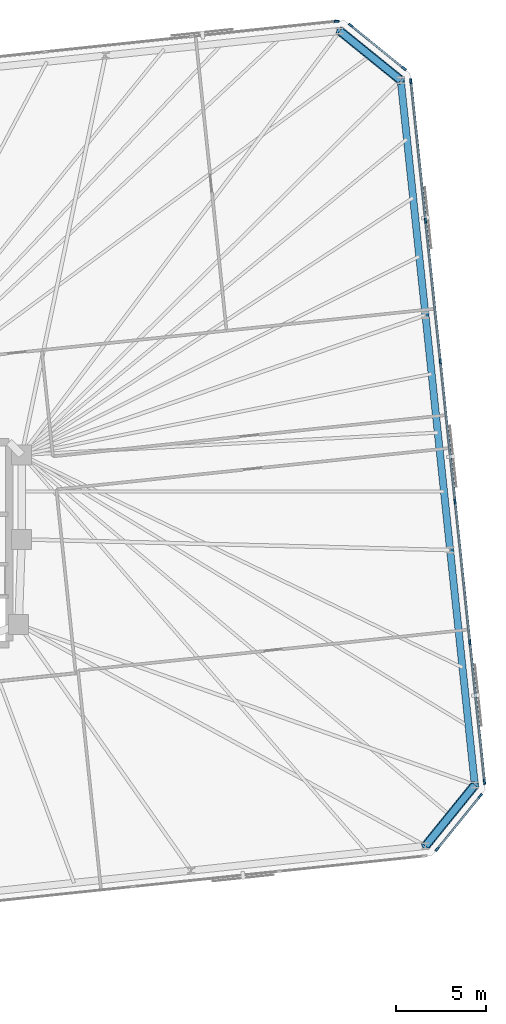
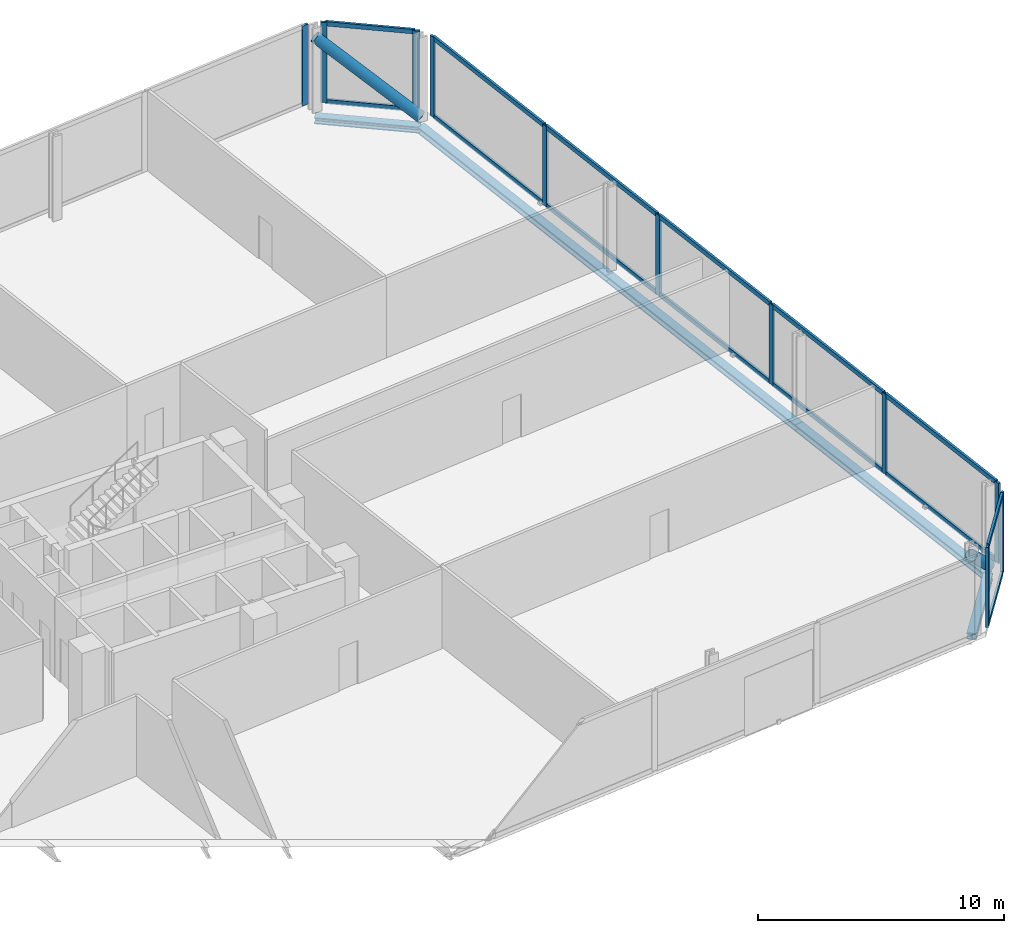
# One storey, part 10 of 16: 27 members, 5 beams, 4 elements without a shape of their own.
"""IFC4 building model written with IfcOpenShell, lengths in metres."""

from ifc_helpers import new_model, si_unit, direction, frame, origin, origin_2d, place, context, subcontext, project, spatial, rectangle, hollow_circle, i_section, extrude, material, material_profile, profile_set, type_object, element, aggregate, save


model = new_model("IFC4")

# Units and contexts
model_context = context("Model", 3, precision=1e-05, world=origin(), true_north=direction((0.0, 1.0)))
body_context = subcontext(model_context, "Body", "Model", "MODEL_VIEW")
ifc_project = project(units=[si_unit("LENGTHUNIT", "METRE"), si_unit("AREAUNIT", "SQUARE_METRE"), si_unit("VOLUMEUNIT", "CUBIC_METRE"), si_unit("PLANEANGLEUNIT", "RADIAN"), si_unit("MASSUNIT", "GRAM", prefix="KILO")], contexts=[model_context])

# Site, building, storey
site_placement = place(None, origin())
site = spatial("IfcSite", under=ifc_project, at=site_placement, CompositionType="ELEMENT")
building_placement = place(site_placement, origin())
building = spatial("IfcBuilding", under=site, at=building_placement, Name="Menara Jurai Vektor", CompositionType="ELEMENT")
storey_placement = place(building_placement, frame((0.0, 0.0, 83.199951171875)))
storey = spatial("IfcBuildingStorey", under=building, at=storey_placement, Name="L20", CompositionType="ELEMENT", Elevation=83.199951171875)

# Curtain wall, members
ifc_material_1 = material(Name="Anodised Pale Aluminium & Low-E Double Glazing", Category="aluminium")
curtain_wall_type = type_object("IfcCurtainWallType", Name="CW-SKY", PredefinedType="NOTDEFINED", material=ifc_material_1)
curtain_wall_1_placement = place(storey_placement, origin())
curtain_wall_1 = element("IfcCurtainWall", 1, at=curtain_wall_1_placement, inside=storey, type_object=curtain_wall_type, Name="Unitised Curtain Wall L20 F02", PredefinedType="NOTDEFINED")
ifc_material_2 = material(Name="Anodised Pale Aluminium Mullion", Category="aluminium")
ifc_material_profile_1 = material_profile(ifc_material_2, rectangle(XDim=0.110107421875, YDim=0.280029296875, at=origin_2d()), Name="ALU MUL 110x280")
ifc_profile_set_1 = profile_set([ifc_material_profile_1], Name="Anodised Pale Aluminium Mullion")
member_type_1 = type_object("IfcMemberType", Name="CW-SKY-MUL", PredefinedType="MULLION", material=ifc_profile_set_1)
member_1_placement = place(storey_placement, frame((38.2734375, -16.9404296875, 0.0), z_axis=(0.0, 0.0, 1.0), x_axis=(-0.777129222223, 0.62934106172, 0.0)))
member_1 = element("IfcMember", 2, at=member_1_placement, type_object=member_type_1, Name="CW-06 mullion 1", PredefinedType="MULLION", context=body_context, shape_type="SweptSolid", body=[
    extrude(rectangle(XDim=0.110107421875, YDim=0.280029296875, at=origin_2d()), origin(), (0.0, 0.0, 1.0), 3.97509765625),
])
member_2_placement = place(storey_placement, frame((40.6630859375, -13.98974609375, 0.0), z_axis=(0.0, 0.0, 1.0), x_axis=(-0.777129222223, 0.62934106172, 0.0)))
member_2 = element("IfcMember", 3, at=member_2_placement, type_object=member_type_1, Name="CW-06 mullion 2", PredefinedType="MULLION", context=body_context, shape_type="SweptSolid", body=[
    extrude(rectangle(XDim=0.110107421875, YDim=0.280029296875, at=origin_2d()), origin(), (0.0, 0.0, 1.0), 3.97509765625),
])

curtain_wall_2_placement = place(storey_placement, origin())
curtain_wall_2 = element("IfcCurtainWall", 4, at=curtain_wall_2_placement, inside=storey, type_object=curtain_wall_type, Name="Unitised Curtain Wall L20 F03", PredefinedType="NOTDEFINED")
member_3_placement = place(storey_placement, frame((40.891357421875, -13.218994140625, 0.0), z_axis=(0.0, 0.0, 1.0), x_axis=(-0.99452177832, -0.104529576902, 0.0)))
member_3 = element("IfcMember", 5, at=member_3_placement, type_object=member_type_1, Name="CW-06 mullion 1", PredefinedType="MULLION", context=body_context, shape_type="SweptSolid", body=[
    extrude(rectangle(XDim=0.110107421875, YDim=0.280029296875, at=origin_2d()), origin(), (0.0, 0.0, 1.0), 3.97509765625),
])
member_4_placement = place(storey_placement, frame((40.078857421875, -5.488525390625, 0.0), z_axis=(0.0, 0.0, 1.0), x_axis=(-0.99452177832, -0.104529576902, 0.0)))
member_4 = element("IfcMember", 6, at=member_4_placement, type_object=member_type_1, Name="CW-06 mullion 2", PredefinedType="MULLION", context=body_context, shape_type="SweptSolid", body=[
    extrude(rectangle(XDim=0.110107421875, YDim=0.280029296875, at=origin_2d()), origin(), (0.0, 0.0, 1.0), 3.97509765625),
])
member_5_placement = place(storey_placement, frame((39.260498046875, 2.296630859375, 0.0), z_axis=(0.0, 0.0, 1.0), x_axis=(-0.99452177832, -0.104529576902, 0.0)))
member_5 = element("IfcMember", 7, at=member_5_placement, type_object=member_type_1, Name="CW-06 mullion 3", PredefinedType="MULLION", context=body_context, shape_type="SweptSolid", body=[
    extrude(rectangle(XDim=0.110107421875, YDim=0.280029296875, at=origin_2d()), origin(), (0.0, 0.0, 1.0), 3.97509765625),
])
member_6_placement = place(storey_placement, frame((38.4423828125, 10.081787109375, 0.0), z_axis=(0.0, 0.0, 1.0), x_axis=(-0.99452177832, -0.104529576902, 0.0)))
member_6 = element("IfcMember", 8, at=member_6_placement, type_object=member_type_1, Name="CW-06 mullion 4", PredefinedType="MULLION", context=body_context, shape_type="SweptSolid", body=[
    extrude(rectangle(XDim=0.110107421875, YDim=0.280029296875, at=origin_2d()), origin(), (0.0, 0.0, 1.0), 3.97509765625),
])
member_7_placement = place(storey_placement, frame((37.6240234375, 17.866943359375, 0.0), z_axis=(0.0, 0.0, 1.0), x_axis=(-0.99452177832, -0.104529576902, 0.0)))
member_7 = element("IfcMember", 9, at=member_7_placement, type_object=member_type_1, Name="CW-06 mullion 5", PredefinedType="MULLION", context=body_context, shape_type="SweptSolid", body=[
    extrude(rectangle(XDim=0.110107421875, YDim=0.280029296875, at=origin_2d()), origin(), (0.0, 0.0, 1.0), 3.97509765625),
])
member_8_placement = place(storey_placement, frame((36.8115234375, 25.597412109375, 0.0), z_axis=(0.0, 0.0, 1.0), x_axis=(-0.99452177832, -0.104529576902, 0.0)))
member_8 = element("IfcMember", 10, at=member_8_placement, type_object=member_type_1, Name="CW-06 mullion 6", PredefinedType="MULLION", context=body_context, shape_type="SweptSolid", body=[
    extrude(rectangle(XDim=0.110107421875, YDim=0.280029296875, at=origin_2d()), origin(), (0.0, 0.0, 1.0), 3.97509765625),
])

curtain_wall_3_placement = place(storey_placement, origin())
curtain_wall_3 = element("IfcCurtainWall", 11, at=curtain_wall_3_placement, inside=storey, type_object=curtain_wall_type, Name="Unitised Curtain Wall L20 F04", PredefinedType="NOTDEFINED")
member_9_placement = place(storey_placement, frame((36.427978515625, 26.3037109375, 0.0), z_axis=(0.0, 0.0, 1.0), x_axis=(-0.629313085353, -0.777151877437, 0.0)))
member_9 = element("IfcMember", 12, at=member_9_placement, type_object=member_type_1, Name="CW-06 mullion 1", PredefinedType="MULLION", context=body_context, shape_type="SweptSolid", body=[
    extrude(rectangle(XDim=0.110107421875, YDim=0.280029296875, at=origin_2d()), origin(), (0.0, 0.0, 1.0), 3.97509765625),
])
member_10_placement = place(storey_placement, frame((33.477294921875, 28.693115234375, 0.0), z_axis=(0.0, 0.0, 1.0), x_axis=(-0.629313085353, -0.777151877437, 0.0)))
member_10 = element("IfcMember", 13, at=member_10_placement, type_object=member_type_1, Name="CW-06 mullion 2", PredefinedType="MULLION", context=body_context, shape_type="SweptSolid", body=[
    extrude(rectangle(XDim=0.110107421875, YDim=0.280029296875, at=origin_2d()), origin(), (0.0, 0.0, 1.0), 3.97509765625),
])

# Curtain wall, member
curtain_wall_4_placement = place(storey_placement, origin())
curtain_wall_4 = element("IfcCurtainWall", 14, at=curtain_wall_4_placement, inside=storey, type_object=curtain_wall_type, Name="Unitised Curtain Wall L20 F05", PredefinedType="NOTDEFINED")
member_11_placement = place(storey_placement, frame((32.70654296875, 28.92138671875, 0.0), z_axis=(0.0, 0.0, 1.0), x_axis=(0.104528634935, -0.994521877325, 0.0)))
member_11 = element("IfcMember", 15, at=member_11_placement, type_object=member_type_1, Name="CW-06 mullion 1", PredefinedType="MULLION", context=body_context, shape_type="SweptSolid", body=[
    extrude(rectangle(XDim=0.110107421875, YDim=0.280029296875, at=origin_2d()), origin(), (0.0, 0.0, 1.0), 3.97509765625),
])
aggregate(curtain_wall_4, [member_11])

# Member
ifc_material_3 = material(Name="Anodised Pale Aluminium Transom", Category="aluminium")
ifc_material_profile_2 = material_profile(ifc_material_3, rectangle(XDim=0.110107421875, YDim=0.219970703125, at=origin_2d()), Name="ALU TRN 110x220")
ifc_profile_set_2 = profile_set([ifc_material_profile_2], Name="Anodised Pale Aluminium Transom")
member_type_2 = type_object("IfcMemberType", Name="CW-SKY-TRN", PredefinedType="USERDEFINED", material=ifc_profile_set_2)
member_12_placement = place(storey_placement, frame((38.30810546875, -16.897705078125, 0.054931640625), z_axis=(0.629335371662, 0.777133830158, 0.0), x_axis=(-0.777133830158, 0.629335371662, 0.0)))
member_12 = element("IfcMember", 16, at=member_12_placement, type_object=member_type_2, Name="CW-06 transom 1.1", ObjectType="TRANSOM", PredefinedType="USERDEFINED", context=body_context, shape_type="SweptSolid", body=[
    extrude(rectangle(XDim=0.110107421875, YDim=0.219970703125, at=origin_2d()), origin(), (0.0, 0.0, 1.0), 3.68701171875),
])

member_13_placement = place(storey_placement, frame((38.30810546875, -16.897705078125, 3.920166015625), z_axis=(0.629335371662, 0.777133830158, 0.0), x_axis=(-0.777133830158, 0.629335371662, 0.0)))
member_13 = element("IfcMember", 17, at=member_13_placement, type_object=member_type_2, Name="CW-06 transom 1.2", ObjectType="TRANSOM", PredefinedType="USERDEFINED", context=body_context, shape_type="SweptSolid", body=[
    extrude(rectangle(XDim=0.110107421875, YDim=0.219970703125, at=origin_2d()), origin(), (0.0, 0.0, 1.0), 3.68701171875),
])

aggregate(curtain_wall_1, [member_1, member_2, member_12, member_13])

member_14_placement = place(storey_placement, frame((40.885498046875, -13.164306640625, 0.054931640625), z_axis=(-0.104530549059, 0.994521676141, 0.0), x_axis=(-0.994521676141, -0.104530549059, 0.0)))
member_14 = element("IfcMember", 18, at=member_14_placement, type_object=member_type_2, Name="CW-06 transom 1.1", ObjectType="TRANSOM", PredefinedType="USERDEFINED", context=body_context, shape_type="SweptSolid", body=[
    extrude(rectangle(XDim=0.110107421875, YDim=0.219970703125, at=origin_2d()), origin(), (0.0, 0.0, 1.0), 7.6630859375),
])

member_15_placement = place(storey_placement, frame((40.885498046875, -13.164306640625, 3.920166015625), z_axis=(-0.104530549059, 0.994521676141, 0.0), x_axis=(-0.994521676141, -0.104530549059, 0.0)))
member_15 = element("IfcMember", 19, at=member_15_placement, type_object=member_type_2, Name="CW-06 transom 1.2", ObjectType="TRANSOM", PredefinedType="USERDEFINED", context=body_context, shape_type="SweptSolid", body=[
    extrude(rectangle(XDim=0.110107421875, YDim=0.219970703125, at=origin_2d()), origin(), (0.0, 0.0, 1.0), 7.6630859375),
])

member_16_placement = place(storey_placement, frame((40.072998046875, -5.433837890625, 0.054931640625), z_axis=(-0.104513534546, 0.994523464327, 0.0), x_axis=(-0.994523464327, -0.104513534546, 0.0)))
member_16 = element("IfcMember", 20, at=member_16_placement, type_object=member_type_2, Name="CW-06 transom 2.1", ObjectType="TRANSOM", PredefinedType="USERDEFINED", context=body_context, shape_type="SweptSolid", body=[
    extrude(rectangle(XDim=0.110107421875, YDim=0.219970703125, at=origin_2d()), origin(), (0.0, 0.0, 1.0), 7.718017578125),
])

member_17_placement = place(storey_placement, frame((40.072998046875, -5.433837890625, 3.920166015625), z_axis=(-0.104513534546, 0.994523464327, 0.0), x_axis=(-0.994523464327, -0.104513534546, 0.0)))
member_17 = element("IfcMember", 21, at=member_17_placement, type_object=member_type_2, Name="CW-06 transom 2.2", ObjectType="TRANSOM", PredefinedType="USERDEFINED", context=body_context, shape_type="SweptSolid", body=[
    extrude(rectangle(XDim=0.110107421875, YDim=0.219970703125, at=origin_2d()), origin(), (0.0, 0.0, 1.0), 7.718017578125),
])

member_18_placement = place(storey_placement, frame((39.2548828125, 2.351318359375, 0.054931640625), z_axis=(-0.104544821293, 0.994520175934, 0.0), x_axis=(-0.994520175934, -0.104544821293, 0.0)))
member_18 = element("IfcMember", 22, at=member_18_placement, type_object=member_type_2, Name="CW-06 transom 3.1", ObjectType="TRANSOM", PredefinedType="USERDEFINED", context=body_context, shape_type="SweptSolid", body=[
    extrude(rectangle(XDim=0.110107421875, YDim=0.219970703125, at=origin_2d()), origin(), (0.0, 0.0, 1.0), 7.718017578125),
])

member_19_placement = place(storey_placement, frame((39.2548828125, 2.351318359375, 3.920166015625), z_axis=(-0.104544821293, 0.994520175934, 0.0), x_axis=(-0.994520175934, -0.104544821293, 0.0)))
member_19 = element("IfcMember", 23, at=member_19_placement, type_object=member_type_2, Name="CW-06 transom 3.2", ObjectType="TRANSOM", PredefinedType="USERDEFINED", context=body_context, shape_type="SweptSolid", body=[
    extrude(rectangle(XDim=0.110107421875, YDim=0.219970703125, at=origin_2d()), origin(), (0.0, 0.0, 1.0), 7.718017578125),
])

member_20_placement = place(storey_placement, frame((38.4365234375, 10.136474609375, 0.054931640625), z_axis=(-0.104513534546, 0.994523464327, 0.0), x_axis=(-0.994523464327, -0.104513534546, 0.0)))
member_20 = element("IfcMember", 24, at=member_20_placement, type_object=member_type_2, Name="CW-06 transom 4.1", ObjectType="TRANSOM", PredefinedType="USERDEFINED", context=body_context, shape_type="SweptSolid", body=[
    extrude(rectangle(XDim=0.110107421875, YDim=0.219970703125, at=origin_2d()), origin(), (0.0, 0.0, 1.0), 7.718017578125),
])

member_21_placement = place(storey_placement, frame((38.4365234375, 10.136474609375, 3.920166015625), z_axis=(-0.104513534546, 0.994523464327, 0.0), x_axis=(-0.994523464327, -0.104513534546, 0.0)))
member_21 = element("IfcMember", 25, at=member_21_placement, type_object=member_type_2, Name="CW-06 transom 4.2", ObjectType="TRANSOM", PredefinedType="USERDEFINED", context=body_context, shape_type="SweptSolid", body=[
    extrude(rectangle(XDim=0.110107421875, YDim=0.219970703125, at=origin_2d()), origin(), (0.0, 0.0, 1.0), 7.718017578125),
])

member_22_placement = place(storey_placement, frame((37.618408203125, 17.921630859375, 0.054931640625), z_axis=(-0.104530549059, 0.994521676141, 0.0), x_axis=(-0.994521676141, -0.104530549059, 0.0)))
member_22 = element("IfcMember", 26, at=member_22_placement, type_object=member_type_2, Name="CW-06 transom 5.1", ObjectType="TRANSOM", PredefinedType="USERDEFINED", context=body_context, shape_type="SweptSolid", body=[
    extrude(rectangle(XDim=0.110107421875, YDim=0.219970703125, at=origin_2d()), origin(), (0.0, 0.0, 1.0), 7.6630859375),
])

member_23_placement = place(storey_placement, frame((37.618408203125, 17.921630859375, 3.920166015625), z_axis=(-0.104530549059, 0.994521676141, 0.0), x_axis=(-0.994521676141, -0.104530549059, 0.0)))
member_23 = element("IfcMember", 27, at=member_23_placement, type_object=member_type_2, Name="CW-06 transom 5.2", ObjectType="TRANSOM", PredefinedType="USERDEFINED", context=body_context, shape_type="SweptSolid", body=[
    extrude(rectangle(XDim=0.110107421875, YDim=0.219970703125, at=origin_2d()), origin(), (0.0, 0.0, 1.0), 7.6630859375),
])

aggregate(curtain_wall_2, [member_3, member_4, member_5, member_6, member_7, member_8, member_14, member_15, member_16, member_17, member_18, member_19, member_20, member_21, member_22, member_23])

member_24_placement = place(storey_placement, frame((36.38525390625, 26.338134765625, 0.054931640625), z_axis=(-0.777133830158, 0.629335371662, 0.0), x_axis=(-0.629335371662, -0.777133830158, 0.0)))
member_24 = element("IfcMember", 28, at=member_24_placement, type_object=member_type_2, Name="CW-06 transom 1.1", ObjectType="TRANSOM", PredefinedType="USERDEFINED", context=body_context, shape_type="SweptSolid", body=[
    extrude(rectangle(XDim=0.110107421875, YDim=0.219970703125, at=origin_2d()), origin(), (0.0, 0.0, 1.0), 3.68701171875),
])

member_25_placement = place(storey_placement, frame((36.38525390625, 26.338134765625, 3.920166015625), z_axis=(-0.777133830158, 0.629335371662, 0.0), x_axis=(-0.629335371662, -0.777133830158, 0.0)))
member_25 = element("IfcMember", 29, at=member_25_placement, type_object=member_type_2, Name="CW-06 transom 1.2", ObjectType="TRANSOM", PredefinedType="USERDEFINED", context=body_context, shape_type="SweptSolid", body=[
    extrude(rectangle(XDim=0.110107421875, YDim=0.219970703125, at=origin_2d()), origin(), (0.0, 0.0, 1.0), 3.68701171875),
])

aggregate(curtain_wall_3, [member_9, member_10, member_24, member_25])

# Beams
ifc_material_4 = material(Name="Steel S460", Category="steel")
ifc_material_profile_3 = material_profile(ifc_material_4, i_section(OverallWidth=0.39697265625, OverallDepth=0.31591796875, WebThickness=0.030029296875, FlangeThickness=0.048095703125, FilletRadius=0.014892578125, at=origin_2d()), Name="HD 400x382")
ifc_profile_set_3 = profile_set([ifc_material_profile_3], Name="Steel S460")
beam_type = type_object("IfcBeamType", Name="STR-BM-CHORD382", PredefinedType="SPANDREL", material=ifc_profile_set_3)
beam_1_placement = place(storey_placement, frame((37.621826171875, -16.76513671875, -0.407958984375), z_axis=(0.629343699494, 0.777127086072, 0.0), x_axis=(-0.777127086072, 0.629343699494, 0.0)))
element("IfcBeam", 30, at=beam_1_placement, inside=storey, type_object=beam_type, Name="Exoskeleton Spandrel Beam L20-06", PredefinedType="SPANDREL", context=body_context, shape_type="SweptSolid", body=[
    extrude(i_section(OverallWidth=0.39697265625, OverallDepth=0.31591796875, WebThickness=0.030029296875, FlangeThickness=0.048095703125, FilletRadius=0.014892578125, at=origin_2d()), origin(), (0.0, 0.0, 1.0), 4.3447265625),
])
beam_2_placement = place(storey_placement, frame((40.356201171875, -13.388671875, -0.407958984375), z_axis=(-0.104538130097, 0.994520879296, 0.0), x_axis=(-0.994520879296, -0.104538130097, 0.0)))
element("IfcBeam", 31, at=beam_2_placement, inside=storey, type_object=beam_type, Name="Exoskeleton Spandrel Beam L20-07", PredefinedType="SPANDREL", context=body_context, shape_type="SweptSolid", body=[
    extrude(i_section(OverallWidth=0.39697265625, OverallDepth=0.31591796875, WebThickness=0.030029296875, FlangeThickness=0.048095703125, FilletRadius=0.014892578125, at=origin_2d()), origin(), (0.0, 0.0, 1.0), 13.08544921875),
])
beam_3_placement = place(storey_placement, frame((38.98828125, -0.375, -0.407958984375), z_axis=(-0.104521615846, 0.994522615037, 0.0), x_axis=(-0.994522615037, -0.104521615846, 0.0)))
element("IfcBeam", 32, at=beam_3_placement, inside=storey, type_object=beam_type, Name="Exoskeleton Spandrel Beam L20-08", PredefinedType="SPANDREL", context=body_context, shape_type="SweptSolid", body=[
    extrude(i_section(OverallWidth=0.39697265625, OverallDepth=0.31591796875, WebThickness=0.030029296875, FlangeThickness=0.048095703125, FilletRadius=0.014892578125, at=origin_2d()), origin(), (0.0, 0.0, 1.0), 13.085205078125),
])
beam_4_placement = place(storey_placement, frame((37.62060546875, 12.638427734375, -0.407958984375), z_axis=(-0.104538130097, 0.994520879296, 0.0), x_axis=(-0.994520879296, -0.104538130097, 0.0)))
element("IfcBeam", 33, at=beam_4_placement, inside=storey, type_object=beam_type, Name="Exoskeleton Spandrel Beam L20-09", PredefinedType="SPANDREL", context=body_context, shape_type="SweptSolid", body=[
    extrude(i_section(OverallWidth=0.39697265625, OverallDepth=0.31591796875, WebThickness=0.030029296875, FlangeThickness=0.048095703125, FilletRadius=0.014892578125, at=origin_2d()), origin(), (0.0, 0.0, 1.0), 13.08544921875),
])
beam_5_placement = place(storey_placement, frame((36.252685546875, 25.652099609375, -0.407958984375), z_axis=(-0.777154568396, 0.629309762217, 0.0), x_axis=(-0.629309762217, -0.777154568396, 0.0)))
element("IfcBeam", 34, at=beam_5_placement, inside=storey, type_object=beam_type, Name="Exoskeleton Spandrel Beam L20-10", PredefinedType="SPANDREL", context=body_context, shape_type="SweptSolid", body=[
    extrude(i_section(OverallWidth=0.39697265625, OverallDepth=0.31591796875, WebThickness=0.030029296875, FlangeThickness=0.048095703125, FilletRadius=0.014892578125, at=origin_2d()), origin(), (0.0, 0.0, 1.0), 4.3447265625),
])

# Members
ifc_material_profile_4 = material_profile(ifc_material_4, hollow_circle(Radius=0.25390625, WallThickness=0.02001953125, at=origin_2d()), Name="CHS 508x20")
ifc_profile_set_4 = profile_set([ifc_material_profile_4], Name="Steel S460")
member_type_3 = type_object("IfcMemberType", Name="STR-BR-508", PredefinedType="BRACE", material=ifc_profile_set_4)
for number, where, z_axis, x_axis, name in (
    (35, (40.356201171875, -13.388671875, 0.150146484375), (-0.491489470854, -0.606901730528, 0.624586574881), (0.777127086072, -0.629343699494, 0.0), "Exoskeleton Corner Brace L20-1"),
    (36, (36.252685546875, 25.65185546875, 0.150146484375), (-0.606901730528, 0.491489470854, 0.624586574881), (-0.629343699494, -0.777127086072, 0.0), "Exoskeleton Corner Brace L20-2"),
):
    element("IfcMember", number, at=place(storey_placement, frame(where, z_axis=z_axis, x_axis=x_axis)), inside=storey, type_object=member_type_3, Name=name, PredefinedType="BRACE", context=body_context, shape_type="SweptSolid", body=[
        extrude(hollow_circle(Radius=0.25390625, WallThickness=0.02001953125, at=origin_2d()), origin(), (0.0, 0.0, 1.0), 5.5634765625),
    ])

save(model, "model.ifc")
